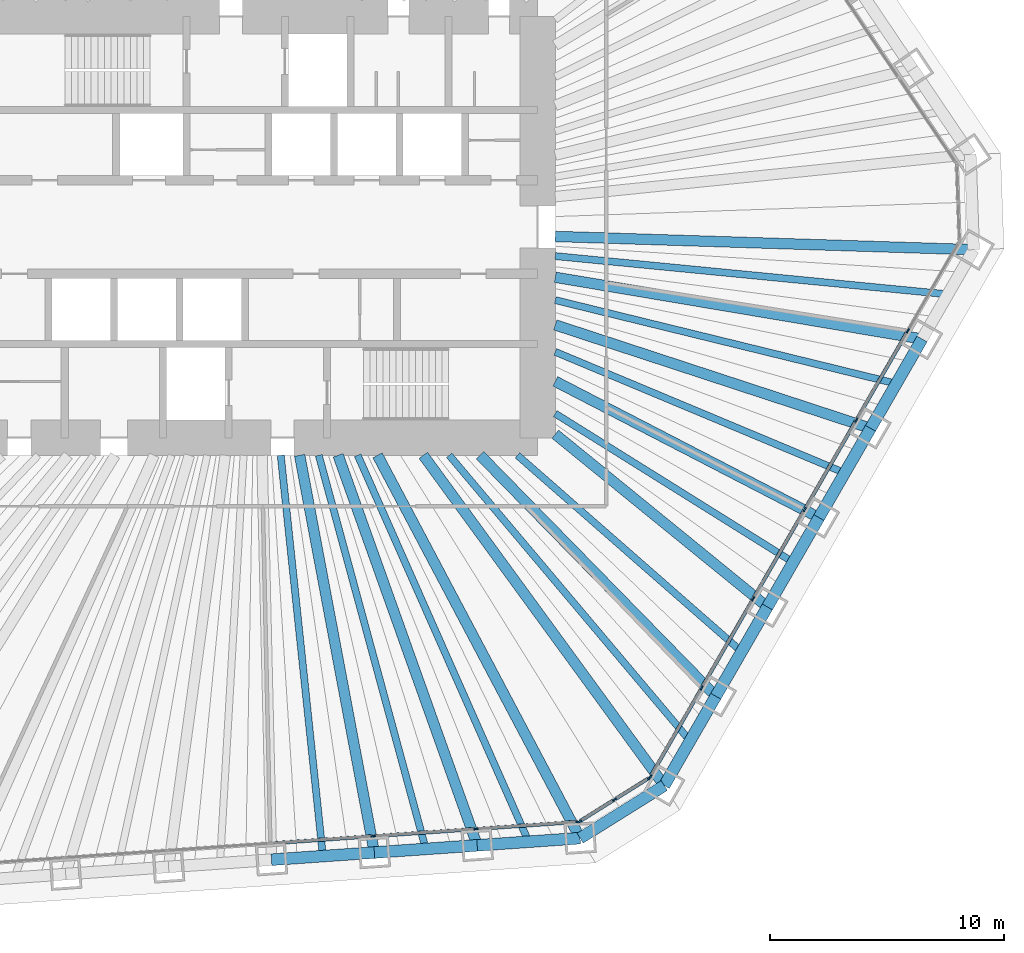
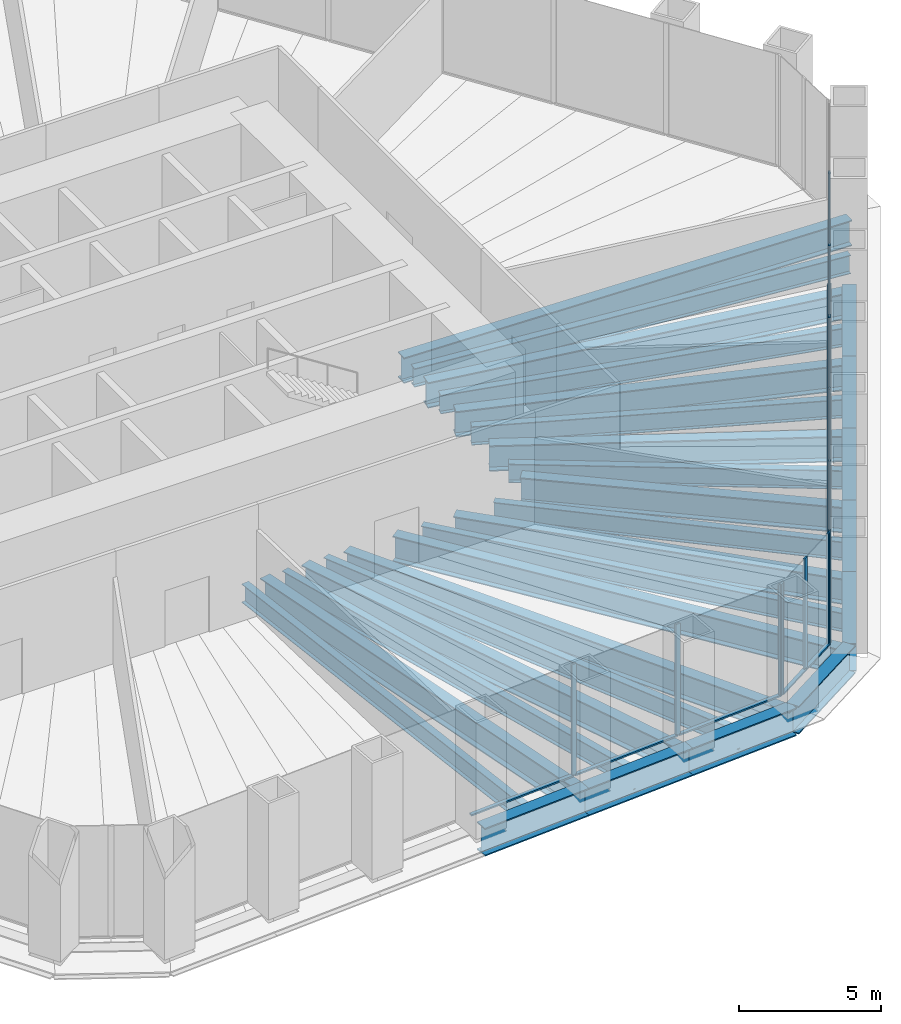
# One storey, part 4 of 14: 28 beams, 22 members, 3 elements without a shape of their own.
"""IFC4 building model written with IfcOpenShell, lengths in metres."""

from ifc_helpers import new_model, si_unit, direction, frame, origin, origin_2d, place, context, subcontext, project, spatial, rectangle, i_section, extrude, material, material_profile, profile_set, type_object, element, aggregate, save


model = new_model("IFC4")

# Units and contexts
model_context = context("Model", 3, precision=1e-05, world=origin(), true_north=direction((0.0, 1.0)))
body_context = subcontext(model_context, "Body", "Model", "MODEL_VIEW")
ifc_project = project(units=[si_unit("LENGTHUNIT", "METRE"), si_unit("AREAUNIT", "SQUARE_METRE"), si_unit("VOLUMEUNIT", "CUBIC_METRE"), si_unit("PLANEANGLEUNIT", "RADIAN"), si_unit("MASSUNIT", "GRAM", prefix="KILO")], contexts=[model_context])

# Site, building, storey
site_placement = place(None, origin())
site = spatial("IfcSite", under=ifc_project, at=site_placement, CompositionType="ELEMENT")
building_placement = place(site_placement, origin())
building = spatial("IfcBuilding", under=site, at=building_placement, Name="Qingtian Harvest Tower", CompositionType="ELEMENT")
storey_placement = place(building_placement, frame((0.0, 0.0, 57.0)))
storey = spatial("IfcBuildingStorey", under=building, at=storey_placement, Name="L11", CompositionType="ELEMENT", Elevation=57.0)

# Beams
ifc_material_1 = material(Name="Steel SM570MC", Category="steel")
ifc_material_profile_1 = material_profile(ifc_material_1, i_section(OverallWidth=0.449951171875, OverallDepth=1.10009765625, WebThickness=0.02197265625, FlangeThickness=0.044921875, at=origin_2d()), Name="H1100x450x22x45")
ifc_profile_set_1 = profile_set([ifc_material_profile_1], Name="Steel SM570MC")
beam_type_1 = type_object("IfcBeamType", Name="Corner floor beam FB8 H1100x450x22x45", PredefinedType="BEAM", material=ifc_profile_set_1)
beam_1_placement = place(storey_placement, frame((30.618408203125, -0.96728515625, -0.75), z_axis=(-0.999501426546, 0.031573696842, 0.0), x_axis=(-0.031573696842, -0.999501426546, 0.0)))
element("IfcBeam", 1, at=beam_1_placement, inside=storey, type_object=beam_type_1, Name="Floor beam FB8 SE0", PredefinedType="BEAM", context=body_context, shape_type="SweptSolid", body=[
    extrude(i_section(OverallWidth=0.449951171875, OverallDepth=1.10009765625, WebThickness=0.02197265625, FlangeThickness=0.044921875, at=origin_2d()), origin(), (0.0, 0.0, 1.0), 17.87744140625),
])
beam_2_placement = place(storey_placement, frame((17.404541015625, -23.854248046875, -0.75), z_axis=(-0.58941234871, 0.807832336062, 0.0), x_axis=(-0.807832336062, -0.58941234871, 0.0)))
element("IfcBeam", 2, at=beam_2_placement, inside=storey, type_object=beam_type_1, Name="Floor beam FB8 SE6", PredefinedType="BEAM", context=body_context, shape_type="SweptSolid", body=[
    extrude(i_section(OverallWidth=0.449951171875, OverallDepth=1.10009765625, WebThickness=0.02197265625, FlangeThickness=0.044921875, at=origin_2d()), origin(), (0.0, 0.0, 1.0), 17.45947265625),
])
beam_3_placement = place(storey_placement, frame((13.810546875, -26.10009765625, -0.75), z_axis=(-0.467705182679, 0.883884529843, 0.0), x_axis=(-0.883884529843, -0.467705182679, 0.0)))
element("IfcBeam", 3, at=beam_3_placement, inside=storey, type_object=beam_type_1, Name="Floor beam FB8 S0", PredefinedType="BEAM", context=body_context, shape_type="SweptSolid", body=[
    extrude(i_section(OverallWidth=0.449951171875, OverallDepth=1.10009765625, WebThickness=0.02197265625, FlangeThickness=0.044921875, at=origin_2d()), origin(), (0.0, 0.0, 1.0), 18.498046875),
])
ifc_material_2 = material(Name="Steel SM570MC", Category="steel")
ifc_material_profile_2 = material_profile(ifc_material_2, i_section(OverallWidth=0.449951171875, OverallDepth=1.10009765625, WebThickness=0.02197265625, FlangeThickness=0.044921875, at=origin_2d()), Name="H1100x450x22x45")
ifc_profile_set_2 = profile_set([ifc_material_profile_2], Name="Steel SM570MC")
beam_type_2 = type_object("IfcBeamType", Name="Floor beam FB1 H1100x450x22x45", PredefinedType="BEAM", material=ifc_profile_set_2)
beam_4_placement = place(storey_placement, frame((28.416015625, -4.78173828125, -0.75), z_axis=(-0.986135195489, 0.16594389479, 0.0), x_axis=(-0.16594389479, -0.986135195489, 0.0)))
element("IfcBeam", 4, at=beam_4_placement, inside=storey, type_object=beam_type_2, Name="Floor beam FB1 SE1", PredefinedType="BEAM", context=body_context, shape_type="SweptSolid", body=[
    extrude(i_section(OverallWidth=0.449951171875, OverallDepth=1.10009765625, WebThickness=0.02197265625, FlangeThickness=0.044921875, at=origin_2d()), origin(), (0.0, 0.0, 1.0), 15.88623046875),
])
beam_5_placement = place(storey_placement, frame((26.2138671875, -8.596435546875, -0.75), z_axis=(-0.950210724421, 0.311608053803, 0.0), x_axis=(-0.311608053803, -0.950210724421, 0.0)))
element("IfcBeam", 5, at=beam_5_placement, inside=storey, type_object=beam_type_2, Name="Floor beam FB1 SE2", PredefinedType="BEAM", context=body_context, shape_type="SweptSolid", body=[
    extrude(i_section(OverallWidth=0.449951171875, OverallDepth=1.10009765625, WebThickness=0.02197265625, FlangeThickness=0.044921875, at=origin_2d()), origin(), (0.0, 0.0, 1.0), 14.16943359375),
])
beam_6_placement = place(storey_placement, frame((24.011474609375, -12.410888671875, -0.75), z_axis=(-0.888349581519, 0.45916774823, 0.0), x_axis=(-0.45916774823, -0.888349581519, 0.0)))
element("IfcBeam", 6, at=beam_6_placement, inside=storey, type_object=beam_type_2, Name="Floor beam FB1 SE3", PredefinedType="BEAM", context=body_context, shape_type="SweptSolid", body=[
    extrude(i_section(OverallWidth=0.449951171875, OverallDepth=1.10009765625, WebThickness=0.02197265625, FlangeThickness=0.044921875, at=origin_2d()), origin(), (0.0, 0.0, 1.0), 12.6767578125),
])
beam_7_placement = place(storey_placement, frame((21.809326171875, -16.225341796875, -0.75), z_axis=(-0.775504415669, 0.631342142802, 0.0), x_axis=(-0.631342142802, -0.775504415669, 0.0)))
element("IfcBeam", 7, at=beam_7_placement, inside=storey, type_object=beam_type_2, Name="Floor beam FB1 SE4", PredefinedType="BEAM", context=body_context, shape_type="SweptSolid", body=[
    extrude(i_section(OverallWidth=0.449951171875, OverallDepth=1.10009765625, WebThickness=0.02197265625, FlangeThickness=0.044921875, at=origin_2d()), origin(), (0.0, 0.0, 1.0), 11.681884765625),
])
beam_8_placement = place(storey_placement, frame((19.60693359375, -20.039794921875, -0.75), z_axis=(-0.699348221539, 0.714781130858, 0.0), x_axis=(-0.714781130858, -0.699348221539, 0.0)))
element("IfcBeam", 8, at=beam_8_placement, inside=storey, type_object=beam_type_2, Name="Floor beam FB1 SE5", PredefinedType="BEAM", context=body_context, shape_type="SweptSolid", body=[
    extrude(i_section(OverallWidth=0.449951171875, OverallDepth=1.10009765625, WebThickness=0.02197265625, FlangeThickness=0.044921875, at=origin_2d()), origin(), (0.0, 0.0, 1.0), 14.395751953125),
])
beam_9_placement = place(storey_placement, frame((9.41650390625, -26.407470703125, -0.75), z_axis=(-0.33586498155, 0.941910141239, 0.0), x_axis=(-0.941910141239, -0.33586498155, 0.0)))
element("IfcBeam", 9, at=beam_9_placement, inside=storey, type_object=beam_type_2, Name="Floor beam FB1 S1", PredefinedType="BEAM", context=body_context, shape_type="SweptSolid", body=[
    extrude(i_section(OverallWidth=0.449951171875, OverallDepth=1.10009765625, WebThickness=0.02197265625, FlangeThickness=0.044921875, at=origin_2d()), origin(), (0.0, 0.0, 1.0), 17.684814453125),
])
beam_10_placement = place(storey_placement, frame((5.022705078125, -26.714599609375, -0.75), z_axis=(-0.184782942099, 0.98277935688, 0.0), x_axis=(-0.98277935688, -0.184782942099, 0.0)))
element("IfcBeam", 10, at=beam_10_placement, inside=storey, type_object=beam_type_2, Name="Floor beam FB1 S2", PredefinedType="BEAM", context=body_context, shape_type="SweptSolid", body=[
    extrude(i_section(OverallWidth=0.449951171875, OverallDepth=1.10009765625, WebThickness=0.02197265625, FlangeThickness=0.044921875, at=origin_2d()), origin(), (0.0, 0.0, 1.0), 17.261962890625),
])
ifc_material_3 = material(Name="Steel SN490B", Category="steel")
ifc_material_profile_3 = material_profile(ifc_material_3, i_section(OverallWidth=0.300048828125, OverallDepth=0.800048828125, WebThickness=0.013916015625, FlangeThickness=0.02587890625, at=origin_2d()), Name="H800x300x14x26")
ifc_profile_set_3 = profile_set([ifc_material_profile_3], Name="Steel SN490B")
beam_type_3 = type_object("IfcBeamType", Name="Floor joist J1 H800x300x14x26", PredefinedType="JOIST", material=ifc_profile_set_3)
beam_11_placement = place(storey_placement, frame((29.517333984375, -2.87451171875, -0.60009765625), z_axis=(-0.995291970786, 0.096922097011, 0.0), x_axis=(-0.096922097011, -0.995291970786, 0.0)))
element("IfcBeam", 11, at=beam_11_placement, inside=storey, type_object=beam_type_3, Name="Floor joist J1 SE0", PredefinedType="JOIST", context=body_context, shape_type="SweptSolid", body=[
    extrude(i_section(OverallWidth=0.300048828125, OverallDepth=0.800048828125, WebThickness=0.013916015625, FlangeThickness=0.02587890625, at=origin_2d()), origin(), (0.0, 0.0, 1.0), 16.8466796875),
])
beam_12_placement = place(storey_placement, frame((27.31494140625, -6.68896484375, -0.60009765625), z_axis=(-0.971301533706, 0.237851488583, 0.0), x_axis=(-0.237851488583, -0.971301533706, 0.0)))
element("IfcBeam", 12, at=beam_12_placement, inside=storey, type_object=beam_type_3, Name="Floor joist J1 SE1", PredefinedType="JOIST", context=body_context, shape_type="SweptSolid", body=[
    extrude(i_section(OverallWidth=0.300048828125, OverallDepth=0.800048828125, WebThickness=0.013916015625, FlangeThickness=0.02587890625, at=origin_2d()), origin(), (0.0, 0.0, 1.0), 14.995361328125),
])
beam_13_placement = place(storey_placement, frame((25.112548828125, -10.503662109375, -0.60009765625), z_axis=(-0.922550516103, 0.385876334125, 0.0), x_axis=(-0.385876334125, -0.922550516103, 0.0)))
element("IfcBeam", 13, at=beam_13_placement, inside=storey, type_object=beam_type_3, Name="Floor joist J1 SE2", PredefinedType="JOIST", context=body_context, shape_type="SweptSolid", body=[
    extrude(i_section(OverallWidth=0.300048828125, OverallDepth=0.800048828125, WebThickness=0.013916015625, FlangeThickness=0.02587890625, at=origin_2d()), origin(), (0.0, 0.0, 1.0), 13.400390625),
])
beam_14_placement = place(storey_placement, frame((22.910400390625, -14.318115234375, -0.60009765625), z_axis=(-0.848013185461, 0.52997512893, 0.0), x_axis=(-0.52997512893, -0.848013185461, 0.0)))
element("IfcBeam", 14, at=beam_14_placement, inside=storey, type_object=beam_type_3, Name="Floor joist J1 SE3", PredefinedType="JOIST", context=body_context, shape_type="SweptSolid", body=[
    extrude(i_section(OverallWidth=0.300048828125, OverallDepth=0.800048828125, WebThickness=0.013916015625, FlangeThickness=0.02587890625, at=origin_2d()), origin(), (0.0, 0.0, 1.0), 11.9814453125),
])
beam_15_placement = place(storey_placement, frame((20.7080078125, -18.132568359375, -0.60009765625), z_axis=(-0.75234369212, 0.658770801514, 0.0), x_axis=(-0.658770801514, -0.75234369212, 0.0)))
element("IfcBeam", 15, at=beam_15_placement, inside=storey, type_object=beam_type_3, Name="Floor joist J1 SE4", PredefinedType="JOIST", context=body_context, shape_type="SweptSolid", body=[
    extrude(i_section(OverallWidth=0.300048828125, OverallDepth=0.800048828125, WebThickness=0.013916015625, FlangeThickness=0.02587890625, at=origin_2d()), origin(), (0.0, 0.0, 1.0), 12.724609375),
])
beam_16_placement = place(storey_placement, frame((18.505859375, -21.947021484375, -0.60009765625), z_axis=(-0.644630398038, 0.76449437534, 0.0), x_axis=(-0.76449437534, -0.644630398038, 0.0)))
element("IfcBeam", 16, at=beam_16_placement, inside=storey, type_object=beam_type_3, Name="Floor joist J1 SE5", PredefinedType="JOIST", context=body_context, shape_type="SweptSolid", body=[
    extrude(i_section(OverallWidth=0.300048828125, OverallDepth=0.800048828125, WebThickness=0.013916015625, FlangeThickness=0.02587890625, at=origin_2d()), origin(), (0.0, 0.0, 1.0), 15.954345703125),
])
beam_17_placement = place(storey_placement, frame((11.613525390625, -26.25390625, -0.60009765625), z_axis=(-0.404539958959, 0.914520323233, 0.0), x_axis=(-0.914520323233, -0.404539958959, 0.0)))
element("IfcBeam", 17, at=beam_17_placement, inside=storey, type_object=beam_type_3, Name="Floor joist J1 S0", PredefinedType="JOIST", context=body_context, shape_type="SweptSolid", body=[
    extrude(i_section(OverallWidth=0.300048828125, OverallDepth=0.800048828125, WebThickness=0.013916015625, FlangeThickness=0.02587890625, at=origin_2d()), origin(), (0.0, 0.0, 1.0), 18.046630859375),
])
beam_18_placement = place(storey_placement, frame((7.2197265625, -26.56103515625, -0.60009765625), z_axis=(-0.262302659247, 0.964985655309, 0.0), x_axis=(-0.964985655309, -0.262302659247, 0.0)))
element("IfcBeam", 18, at=beam_18_placement, inside=storey, type_object=beam_type_3, Name="Floor joist J1 S1", PredefinedType="JOIST", context=body_context, shape_type="SweptSolid", body=[
    extrude(i_section(OverallWidth=0.300048828125, OverallDepth=0.800048828125, WebThickness=0.013916015625, FlangeThickness=0.02587890625, at=origin_2d()), origin(), (0.0, 0.0, 1.0), 17.421142578125),
])
beam_19_placement = place(storey_placement, frame((2.82568359375, -26.868408203125, -0.60009765625), z_axis=(-0.104590278152, 0.99451539642, 0.0), x_axis=(-0.99451539642, -0.104590278152, 0.0)))
element("IfcBeam", 19, at=beam_19_placement, inside=storey, type_object=beam_type_3, Name="Floor joist J1 S2", PredefinedType="JOIST", context=body_context, shape_type="SweptSolid", body=[
    extrude(i_section(OverallWidth=0.300048828125, OverallDepth=0.800048828125, WebThickness=0.013916015625, FlangeThickness=0.02587890625, at=origin_2d()), origin(), (0.0, 0.0, 1.0), 17.212890625),
])

# Curtain wall, members
ifc_material_4 = material(Name="Bronze-anodised aluminium curtain wall", Category="aluminium")
curtain_wall_type = type_object("IfcCurtainWallType", Name="Curtain wall CW2 farm reception", PredefinedType="USERDEFINED", material=ifc_material_4)
curtain_wall_1_placement = place(storey_placement, origin())
curtain_wall_1 = element("IfcCurtainWall", 20, at=curtain_wall_1_placement, inside=storey, type_object=curtain_wall_type, Name="Curtain wall CW2 L11 SE0-5", ObjectType="RECESSED CURTAIN WALL", PredefinedType="USERDEFINED")
ifc_material_5 = material(Name="Bronze-anodised aluminium mullion", Category="aluminium")
ifc_material_profile_4 = material_profile(ifc_material_5, rectangle(XDim=0.06494140625, YDim=0.199951171875, at=origin_2d()), Name="AL 65x200")
ifc_profile_set_4 = profile_set([ifc_material_profile_4], Name="Bronze-anodised aluminium mullion")
member_type_1 = type_object("IfcMemberType", Name="Mullion CWM 65x200", PredefinedType="MULLION", material=ifc_profile_set_4)
member_1_placement = place(storey_placement, frame((27.809814453125, -4.431884765625, 0.0), z_axis=(0.0, 0.0, 1.0), x_axis=(0.866025403784, -0.5, 0.0)))
member_1 = element("IfcMember", 21, at=member_1_placement, type_object=member_type_1, Name="CW2 mullion 2", PredefinedType="MULLION", context=body_context, shape_type="SweptSolid", body=[
    extrude(rectangle(XDim=0.06494140625, YDim=0.199951171875, at=origin_2d()), origin(), (0.0, 0.0, 1.0), 4.800048828125),
])
member_2_placement = place(storey_placement, frame((25.607666015625, -8.246337890625, 0.0), z_axis=(0.0, 0.0, 1.0), x_axis=(0.866025403784, -0.5, 0.0)))
member_2 = element("IfcMember", 22, at=member_2_placement, type_object=member_type_1, Name="CW2 mullion 3", PredefinedType="MULLION", context=body_context, shape_type="SweptSolid", body=[
    extrude(rectangle(XDim=0.06494140625, YDim=0.199951171875, at=origin_2d()), origin(), (0.0, 0.0, 1.0), 4.800048828125),
])
member_3_placement = place(storey_placement, frame((23.4052734375, -12.060791015625, 0.0), z_axis=(0.0, 0.0, 1.0), x_axis=(0.866025403784, -0.5, 0.0)))
member_3 = element("IfcMember", 23, at=member_3_placement, type_object=member_type_1, Name="CW2 mullion 4", PredefinedType="MULLION", context=body_context, shape_type="SweptSolid", body=[
    extrude(rectangle(XDim=0.06494140625, YDim=0.199951171875, at=origin_2d()), origin(), (0.0, 0.0, 1.0), 4.800048828125),
])
member_4_placement = place(storey_placement, frame((21.202880859375, -15.875244140625, 0.0), z_axis=(0.0, 0.0, 1.0), x_axis=(0.866025403784, -0.5, 0.0)))
member_4 = element("IfcMember", 24, at=member_4_placement, type_object=member_type_1, Name="CW2 mullion 5", PredefinedType="MULLION", context=body_context, shape_type="SweptSolid", body=[
    extrude(rectangle(XDim=0.06494140625, YDim=0.199951171875, at=origin_2d()), origin(), (0.0, 0.0, 1.0), 4.800048828125),
])
member_5_placement = place(storey_placement, frame((19.000732421875, -19.68994140625, 0.0), z_axis=(0.0, 0.0, 1.0), x_axis=(0.866025403784, -0.5, 0.0)))
member_5 = element("IfcMember", 25, at=member_5_placement, type_object=member_type_1, Name="CW2 mullion 6", PredefinedType="MULLION", context=body_context, shape_type="SweptSolid", body=[
    extrude(rectangle(XDim=0.06494140625, YDim=0.199951171875, at=origin_2d()), origin(), (0.0, 0.0, 1.0), 4.800048828125),
])
member_6_placement = place(storey_placement, frame((16.814697265625, -23.47607421875, 0.0), z_axis=(0.0, 0.0, 1.0), x_axis=(0.866025403784, -0.5, 0.0)))
member_6 = element("IfcMember", 26, at=member_6_placement, type_object=member_type_1, Name="CW2 mullion 7", PredefinedType="MULLION", context=body_context, shape_type="SweptSolid", body=[
    extrude(rectangle(XDim=0.06494140625, YDim=0.199951171875, at=origin_2d()), origin(), (0.0, 0.0, 1.0), 4.800048828125),
])

curtain_wall_2_placement = place(storey_placement, origin())
curtain_wall_2 = element("IfcCurtainWall", 27, at=curtain_wall_2_placement, inside=storey, type_object=curtain_wall_type, Name="Curtain wall CW2 L11 SEC", ObjectType="RECESSED CURTAIN WALL", PredefinedType="USERDEFINED")
member_7_placement = place(storey_placement, frame((16.770751953125, -23.521484375, 0.0), z_axis=(0.0, 0.0, 1.0), x_axis=(0.529919264233, -0.848048096156, 0.0)))
member_7 = element("IfcMember", 28, at=member_7_placement, type_object=member_type_1, Name="CW2 mullion 1", PredefinedType="MULLION", context=body_context, shape_type="SweptSolid", body=[
    extrude(rectangle(XDim=0.06494140625, YDim=0.199951171875, at=origin_2d()), origin(), (0.0, 0.0, 1.0), 4.800048828125),
])
member_8_placement = place(storey_placement, frame((15.280029296875, -24.453125, 0.0), z_axis=(0.0, 0.0, 1.0), x_axis=(0.529919264233, -0.848048096156, 0.0)))
member_8 = element("IfcMember", 29, at=member_8_placement, type_object=member_type_1, Name="CW2 mullion 2", PredefinedType="MULLION", context=body_context, shape_type="SweptSolid", body=[
    extrude(rectangle(XDim=0.06494140625, YDim=0.199951171875, at=origin_2d()), origin(), (0.0, 0.0, 1.0), 4.800048828125),
])
member_9_placement = place(storey_placement, frame((13.789306640625, -25.384765625, 0.0), z_axis=(0.0, 0.0, 1.0), x_axis=(0.529919264233, -0.848048096156, 0.0)))
member_9 = element("IfcMember", 30, at=member_9_placement, type_object=member_type_1, Name="CW2 mullion 3", PredefinedType="MULLION", context=body_context, shape_type="SweptSolid", body=[
    extrude(rectangle(XDim=0.06494140625, YDim=0.199951171875, at=origin_2d()), origin(), (0.0, 0.0, 1.0), 4.800048828125),
])

curtain_wall_3_placement = place(storey_placement, origin())
curtain_wall_3 = element("IfcCurtainWall", 31, at=curtain_wall_3_placement, inside=storey, type_object=curtain_wall_type, Name="Curtain wall CW2 L11 S0-5", ObjectType="RECESSED CURTAIN WALL", PredefinedType="USERDEFINED")
member_10_placement = place(storey_placement, frame((13.729248046875, -25.404296875, 0.0), z_axis=(0.0, 0.0, 1.0), x_axis=(0.069756473744, -0.99756405026, 0.0)))
member_10 = element("IfcMember", 32, at=member_10_placement, type_object=member_type_1, Name="CW2 mullion 1", PredefinedType="MULLION", context=body_context, shape_type="SweptSolid", body=[
    extrude(rectangle(XDim=0.06494140625, YDim=0.199951171875, at=origin_2d()), origin(), (0.0, 0.0, 1.0), 4.800048828125),
])
member_11_placement = place(storey_placement, frame((9.36767578125, -25.709228515625, 0.0), z_axis=(0.0, 0.0, 1.0), x_axis=(0.069756473744, -0.99756405026, 0.0)))
member_11 = element("IfcMember", 33, at=member_11_placement, type_object=member_type_1, Name="CW2 mullion 2", PredefinedType="MULLION", context=body_context, shape_type="SweptSolid", body=[
    extrude(rectangle(XDim=0.06494140625, YDim=0.199951171875, at=origin_2d()), origin(), (0.0, 0.0, 1.0), 4.800048828125),
])
member_12_placement = place(storey_placement, frame((4.973876953125, -26.016357421875, 0.0), z_axis=(0.0, 0.0, 1.0), x_axis=(0.069756473744, -0.99756405026, 0.0)))
member_12 = element("IfcMember", 34, at=member_12_placement, type_object=member_type_1, Name="CW2 mullion 3", PredefinedType="MULLION", context=body_context, shape_type="SweptSolid", body=[
    extrude(rectangle(XDim=0.06494140625, YDim=0.199951171875, at=origin_2d()), origin(), (0.0, 0.0, 1.0), 4.800048828125),
])

# Beams
ifc_material_6 = material(Name="Steel SM570MC", Category="steel")
ifc_material_profile_5 = material_profile(ifc_material_6, i_section(OverallWidth=0.5, OverallDepth=1.199951171875, WebThickness=0.02490234375, FlangeThickness=0.050048828125, at=origin_2d()), Name="H1200x500x25x50")
ifc_profile_set_5 = profile_set([ifc_material_profile_5], Name="Steel SM570MC")
beam_type_4 = type_object("IfcBeamType", Name="Spandrel beam SB1 H1200x500x25x50", PredefinedType="SPANDREL", material=ifc_profile_set_5)
beam_20_placement = place(storey_placement, frame((28.416015625, -4.78173828125, -0.60009765625), z_axis=(-0.499954356739, -0.86605175433, 0.0), x_axis=(0.86605175433, -0.499954356739, 0.0)))
element("IfcBeam", 35, at=beam_20_placement, inside=storey, type_object=beam_type_4, Name="Spandrel SB1 SE1", PredefinedType="SPANDREL", context=body_context, shape_type="SweptSolid", body=[
    extrude(i_section(OverallWidth=0.5, OverallDepth=1.199951171875, WebThickness=0.02490234375, FlangeThickness=0.050048828125, at=origin_2d()), origin(), (0.0, 0.0, 1.0), 4.40478515625),
])
for number, where, z_axis, x_axis, name in (
    (36, (26.2138671875, -8.596435546875, -0.60009765625), (-0.50001992892, -0.866013897511, 0.0), (0.866013897511, -0.50001992892, 0.0), "Spandrel SB1 SE2"),
    (37, (24.011474609375, -12.410888671875, -0.60009765625), (-0.499978356969, -0.866037899034, 0.0), (0.866037899034, -0.499978356969, 0.0), "Spandrel SB1 SE3"),
    (38, (21.809326171875, -16.225341796875, -0.60009765625), (-0.50001992892, -0.866013897511, 0.0), (0.866013897511, -0.50001992892, 0.0), "Spandrel SB1 SE4"),
    (39, (19.60693359375, -20.039794921875, -0.60009765625), (-0.50001992892, -0.866013897511, 0.0), (0.866013897511, -0.50001992892, 0.0), "Spandrel SB1 SE5"),
):
    element("IfcBeam", number, at=place(storey_placement, frame(where, z_axis=z_axis, x_axis=x_axis)), inside=storey, type_object=beam_type_4, Name=name, PredefinedType="SPANDREL", context=body_context, shape_type="SweptSolid", body=[
        extrude(i_section(OverallWidth=0.5, OverallDepth=1.199951171875, WebThickness=0.02490234375, FlangeThickness=0.050048828125, at=origin_2d()), origin(), (0.0, 0.0, 1.0), 4.404541015625),
    ])
beam_21_placement = place(storey_placement, frame((17.404541015625, -23.854248046875, -0.60009765625), z_axis=(-0.848040374245, -0.529931621675, 0.0), x_axis=(0.529931621675, -0.848040374245, 0.0)))
element("IfcBeam", 40, at=beam_21_placement, inside=storey, type_object=beam_type_4, Name="Spandrel SB1 SEC", PredefinedType="SPANDREL", context=body_context, shape_type="SweptSolid", body=[
    extrude(i_section(OverallWidth=0.5, OverallDepth=1.199951171875, WebThickness=0.02490234375, FlangeThickness=0.050048828125, at=origin_2d()), origin(), (0.0, 0.0, 1.0), 4.238037109375),
])
beam_22_placement = place(storey_placement, frame((13.810546875, -26.10009765625, -0.60009765625), z_axis=(-0.997562286406, -0.069781693443, 0.0), x_axis=(0.069781693443, -0.997562286406, 0.0)))
element("IfcBeam", 41, at=beam_22_placement, inside=storey, type_object=beam_type_4, Name="Spandrel SB1 S0", PredefinedType="SPANDREL", context=body_context, shape_type="SweptSolid", body=[
    extrude(i_section(OverallWidth=0.5, OverallDepth=1.199951171875, WebThickness=0.02490234375, FlangeThickness=0.050048828125, at=origin_2d()), origin(), (0.0, 0.0, 1.0), 4.40478515625),
])
for number, where, z_axis, x_axis, name in (
    (42, (9.41650390625, -26.407470703125, -0.60009765625), (-0.997565873714, -0.069730392239, 0.0), (0.069730392239, -0.997565873714, 0.0), "Spandrel SB1 S1"),
    (43, (5.022705078125, -26.714599609375, -0.60009765625), (-0.997562016486, -0.069785551967, 0.0), (0.069785551967, -0.997562016486, 0.0), "Spandrel SB1 S2"),
):
    element("IfcBeam", number, at=place(storey_placement, frame(where, z_axis=z_axis, x_axis=x_axis)), inside=storey, type_object=beam_type_4, Name=name, PredefinedType="SPANDREL", context=body_context, shape_type="SweptSolid", body=[
        extrude(i_section(OverallWidth=0.5, OverallDepth=1.199951171875, WebThickness=0.02490234375, FlangeThickness=0.050048828125, at=origin_2d()), origin(), (0.0, 0.0, 1.0), 4.404541015625),
    ])

# Member
ifc_material_7 = material(Name="Bronze-anodised aluminium transom", Category="aluminium")
ifc_material_profile_6 = material_profile(ifc_material_7, rectangle(XDim=0.14990234375, YDim=0.06494140625, at=origin_2d()), Name="AL 65x150")
ifc_profile_set_6 = profile_set([ifc_material_profile_6], Name="Bronze-anodised aluminium transom")
member_type_2 = type_object("IfcMemberType", Name="Transom CWT 65x150", PredefinedType="USERDEFINED", material=ifc_profile_set_6)
member_13_placement = place(storey_placement, frame((27.793701171875, -4.4599609375, 0.032470703125), z_axis=(-0.500011390128, -0.866018827591, 0.0), x_axis=(0.866018827591, -0.500011390128, 0.0)))
member_13 = element("IfcMember", 44, at=member_13_placement, type_object=member_type_2, Name="CW2 transom 2.1", ObjectType="TRANSOM", PredefinedType="USERDEFINED", context=body_context, shape_type="SweptSolid", body=[
    extrude(rectangle(XDim=0.14990234375, YDim=0.06494140625, at=origin_2d()), origin(), (0.0, 0.0, 1.0), 4.33984375),
])

member_14_placement = place(storey_placement, frame((25.59130859375, -8.2744140625, 0.032470703125), z_axis=(-0.499969196308, -0.866043187574, 0.0), x_axis=(0.866043187574, -0.499969196308, 0.0)))
member_14 = element("IfcMember", 45, at=member_14_placement, type_object=member_type_2, Name="CW2 transom 3.1", ObjectType="TRANSOM", PredefinedType="USERDEFINED", context=body_context, shape_type="SweptSolid", body=[
    extrude(rectangle(XDim=0.14990234375, YDim=0.06494140625, at=origin_2d()), origin(), (0.0, 0.0, 1.0), 4.339599609375),
])

member_15_placement = place(storey_placement, frame((23.38916015625, -12.0888671875, 0.032470703125), z_axis=(-0.500011390128, -0.866018827591, 0.0), x_axis=(0.866018827591, -0.500011390128, 0.0)))
member_15 = element("IfcMember", 46, at=member_15_placement, type_object=member_type_2, Name="CW2 transom 4.1", ObjectType="TRANSOM", PredefinedType="USERDEFINED", context=body_context, shape_type="SweptSolid", body=[
    extrude(rectangle(XDim=0.14990234375, YDim=0.06494140625, at=origin_2d()), origin(), (0.0, 0.0, 1.0), 4.33984375),
])

member_16_placement = place(storey_placement, frame((21.186767578125, -15.903564453125, 0.032470703125), z_axis=(-0.500035751442, -0.866004761696, 0.0), x_axis=(0.866004761696, -0.500035751442, 0.0)))
member_16 = element("IfcMember", 47, at=member_16_placement, type_object=member_type_2, Name="CW2 transom 5.1", ObjectType="TRANSOM", PredefinedType="USERDEFINED", context=body_context, shape_type="SweptSolid", body=[
    extrude(rectangle(XDim=0.14990234375, YDim=0.06494140625, at=origin_2d()), origin(), (0.0, 0.0, 1.0), 4.339599609375),
])

member_17_placement = place(storey_placement, frame((18.984375, -19.718017578125, 0.032470703125), z_axis=(-0.500010313095, -0.866019449435, 0.0), x_axis=(0.866019449435, -0.500010313095, 0.0)))
member_17 = element("IfcMember", 48, at=member_17_placement, type_object=member_type_2, Name="CW2 transom 6.1", ObjectType="TRANSOM", PredefinedType="USERDEFINED", context=body_context, shape_type="SweptSolid", body=[
    extrude(rectangle(XDim=0.14990234375, YDim=0.06494140625, at=origin_2d()), origin(), (0.0, 0.0, 1.0), 4.30712890625),
])

aggregate(curtain_wall_1, [member_1, member_2, member_3, member_4, member_5, member_6, member_13, member_14, member_15, member_16, member_17])

member_18_placement = place(storey_placement, frame((16.7431640625, -23.538818359375, 0.032470703125), z_axis=(-0.848063119425, -0.529895221219, 0.0), x_axis=(0.529895221219, -0.848063119425, 0.0)))
member_18 = element("IfcMember", 49, at=member_18_placement, type_object=member_type_2, Name="CW2 transom 1.1", ObjectType="TRANSOM", PredefinedType="USERDEFINED", context=body_context, shape_type="SweptSolid", body=[
    extrude(rectangle(XDim=0.14990234375, YDim=0.06494140625, at=origin_2d()), origin(), (0.0, 0.0, 1.0), 1.692626953125),
])

member_19_placement = place(storey_placement, frame((15.25244140625, -24.470458984375, 0.032470703125), z_axis=(-0.848103609743, -0.529830413568, 0.0), x_axis=(0.529830413568, -0.848103609743, 0.0)))
member_19 = element("IfcMember", 50, at=member_19_placement, type_object=member_type_2, Name="CW2 transom 2.1", ObjectType="TRANSOM", PredefinedType="USERDEFINED", context=body_context, shape_type="SweptSolid", body=[
    extrude(rectangle(XDim=0.14990234375, YDim=0.06494140625, at=origin_2d()), origin(), (0.0, 0.0, 1.0), 1.69287109375),
])

aggregate(curtain_wall_2, [member_7, member_8, member_9, member_18, member_19])

member_20_placement = place(storey_placement, frame((13.69677734375, -25.406494140625, 0.032470703125), z_axis=(-0.997566581753, -0.069720262262, 0.0), x_axis=(0.069720262262, -0.997566581753, 0.0)))
member_20 = element("IfcMember", 51, at=member_20_placement, type_object=member_type_2, Name="CW2 transom 1.1", ObjectType="TRANSOM", PredefinedType="USERDEFINED", context=body_context, shape_type="SweptSolid", body=[
    extrude(rectangle(XDim=0.14990234375, YDim=0.06494140625, at=origin_2d()), origin(), (0.0, 0.0, 1.0), 4.30712890625),
])

member_21_placement = place(storey_placement, frame((9.33544921875, -25.71142578125, 0.032470703125), z_axis=(-0.997563824095, -0.069759707979, 0.0), x_axis=(0.069759707979, -0.997563824095, 0.0)))
member_21 = element("IfcMember", 52, at=member_21_placement, type_object=member_type_2, Name="CW2 transom 2.1", ObjectType="TRANSOM", PredefinedType="USERDEFINED", context=body_context, shape_type="SweptSolid", body=[
    extrude(rectangle(XDim=0.14990234375, YDim=0.06494140625, at=origin_2d()), origin(), (0.0, 0.0, 1.0), 4.339599609375),
])

member_22_placement = place(storey_placement, frame((4.94140625, -26.018798828125, 0.032470703125), z_axis=(-0.997567737508, -0.069703723594, 0.0), x_axis=(0.069703723594, -0.997567737508, 0.0)))
member_22 = element("IfcMember", 53, at=member_22_placement, type_object=member_type_2, Name="CW2 transom 3.1", ObjectType="TRANSOM", PredefinedType="USERDEFINED", context=body_context, shape_type="SweptSolid", body=[
    extrude(rectangle(XDim=0.14990234375, YDim=0.06494140625, at=origin_2d()), origin(), (0.0, 0.0, 1.0), 4.339599609375),
])

aggregate(curtain_wall_3, [member_10, member_11, member_12, member_20, member_21, member_22])

save(model, "model.ifc")
